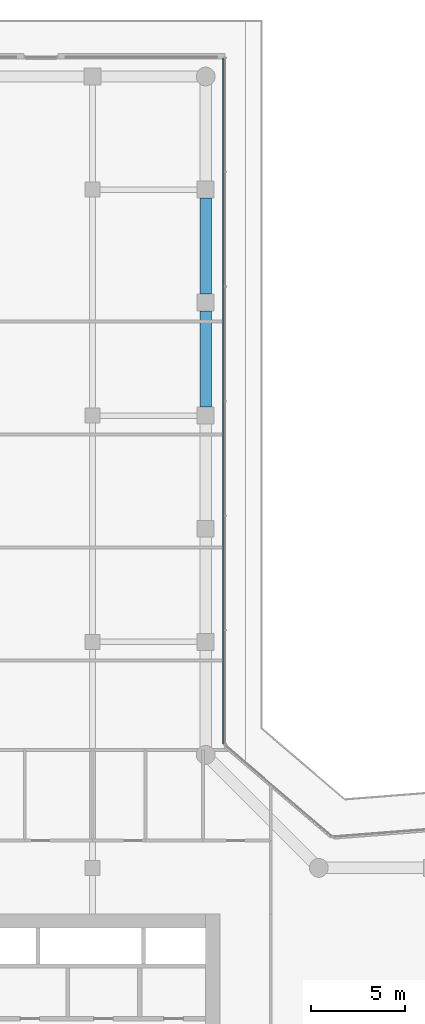
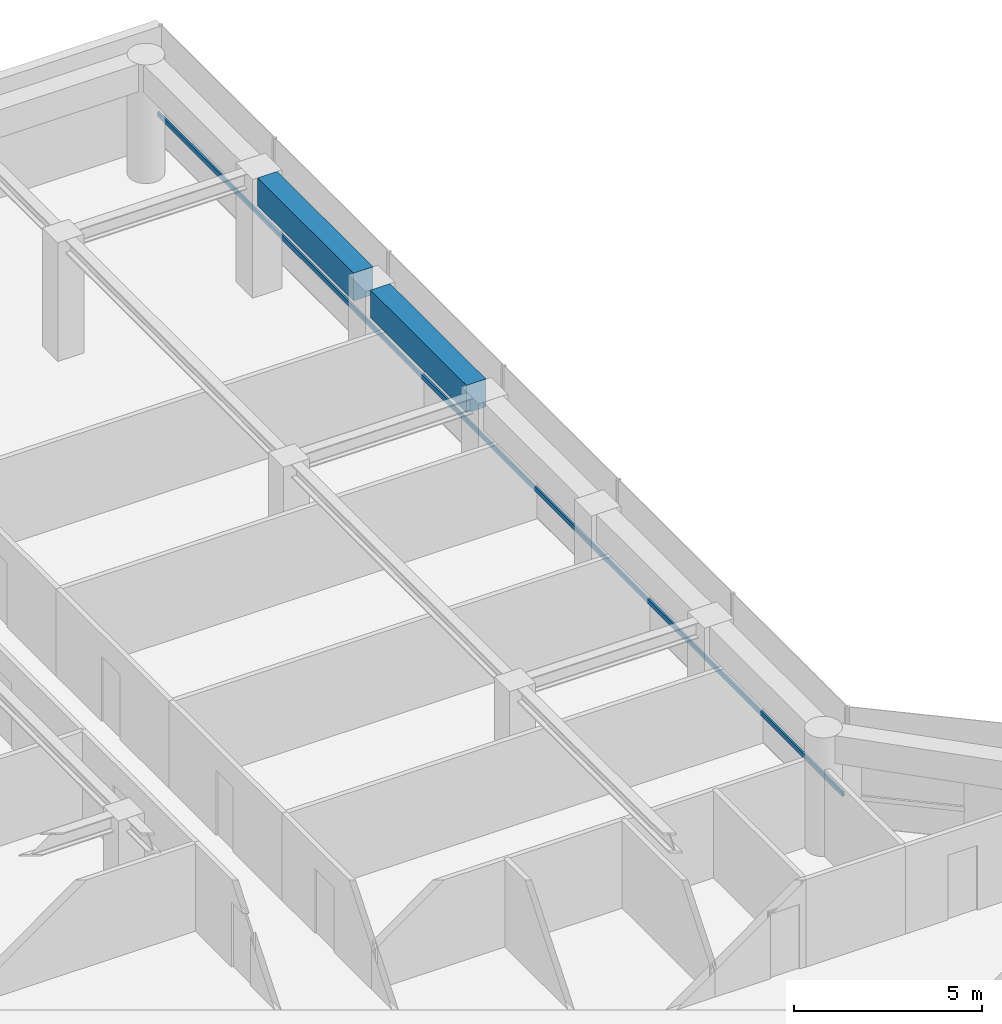
# One storey, part 16 of 25: 2 beams, 1 member, 1 element without a shape of its own.
"""IFC4 building model written with IfcOpenShell, lengths in metres."""

from ifc_helpers import new_model, si_unit, direction, frame, origin, origin_2d, place, context, subcontext, project, spatial, rectangle, extrude, material, layer, layer_set, material_profile, profile_set, type_object, element, aggregate, save


model = new_model("IFC4")

# Units and contexts
model_context = context("Model", 3, precision=1e-05, world=origin(), true_north=direction((0.0, 1.0)))
body_context = subcontext(model_context, "Body", "Model", "MODEL_VIEW")
ifc_project = project(units=[si_unit("LENGTHUNIT", "METRE"), si_unit("AREAUNIT", "SQUARE_METRE"), si_unit("VOLUMEUNIT", "CUBIC_METRE"), si_unit("PLANEANGLEUNIT", "RADIAN"), si_unit("MASSUNIT", "GRAM", prefix="KILO")], contexts=[model_context])

# Site, building, storey
site_placement = place(None, origin())
site = spatial("IfcSite", under=ifc_project, at=site_placement, CompositionType="ELEMENT")
building_placement = place(site_placement, origin())
building = spatial("IfcBuilding", under=site, at=building_placement, Name="Welwitschia Terrace Campus", CompositionType="ELEMENT")
storey_placement = place(building_placement, frame((0.0, 0.0, 92.0)))
storey = spatial("IfcBuildingStorey", under=building, at=storey_placement, Name="L20", CompositionType="ELEMENT", Elevation=92.0)

# Beams
ifc_material_1 = material(Name="Concrete C60/75", Category="concrete")
ifc_material_profile_1 = material_profile(ifc_material_1, rectangle(XDim=0.60009765625, YDim=0.89990234375, at=origin_2d()))
ifc_profile_set_1 = profile_set([ifc_material_profile_1], Name="Concrete C60/75")
beam_type = type_object("IfcBeamType", Name="Ring spandrel 600x900", PredefinedType="SPANDREL", material=ifc_profile_set_1)
for number, where, z_axis, x_axis, name in (
    (1, (24.0, 52.450439453125, 3.39990234375), (0.0, 1.0, 0.0), (-1.0, 0.0, 0.0), "Spandrel SP2"),
    (2, (24.0, 58.450439453125, 3.39990234375), (0.0, 1.0, 0.0), (-1.0, 0.0, 0.0), "Spandrel SP2"),
):
    element("IfcBeam", number, at=place(storey_placement, frame(where, z_axis=z_axis, x_axis=x_axis)), inside=storey, type_object=beam_type, Name=name, PredefinedType="SPANDREL", context=body_context, shape_type="SweptSolid", body=[
        extrude(rectangle(XDim=0.60009765625, YDim=0.89990234375, at=origin_2d()), origin(), (0.0, 0.0, 1.0), 5.09912109375),
    ])

# Curtain wall, member
ifc_material_2 = material(Name="Bronze anodised aluminium", Category="aluminium")
ifc_layer = layer(ifc_material_2, 0.1201171875)
ifc_layer_set = layer_set([ifc_layer], Name="Bronze anodised aluminium")
curtain_wall_type = type_object("IfcCurtainWallType", Name="Curtain wall CW2 tower 6000", PredefinedType="NOTDEFINED", material=ifc_layer_set)
curtain_wall_placement = place(storey_placement, origin())
curtain_wall = element("IfcCurtainWall", 3, at=curtain_wall_placement, inside=storey, type_object=curtain_wall_type, Name="CW L20.10.0", PredefinedType="NOTDEFINED")
ifc_material_3 = material(Name="Bronze anodised aluminium", Category="aluminium")
ifc_material_profile_2 = material_profile(ifc_material_3, rectangle(XDim=0.06005859375, YDim=0.14990234375, at=origin_2d()))
ifc_profile_set_2 = profile_set([ifc_material_profile_2], Name="Bronze anodised aluminium")
member_type = type_object("IfcMemberType", Name="Transom 60x150", PredefinedType="USERDEFINED", material=ifc_profile_set_2)
member_placement = place(storey_placement, frame((24.93994140625, 34.57763671875, 1.0), z_axis=(0.0, 1.0, 0.0), x_axis=(-1.0, 0.0, 0.0)))
member = element("IfcMember", 4, at=member_placement, type_object=member_type, Name="Transom L20.10.0", ObjectType="TRANSOM", PredefinedType="USERDEFINED", context=body_context, shape_type="SweptSolid", body=[
    extrude(rectangle(XDim=0.06005859375, YDim=0.14990234375, at=origin_2d()), origin(), (0.0, 0.0, 1.0), 36.392333984375),
])
aggregate(curtain_wall, [member])

save(model, "model.ifc")
